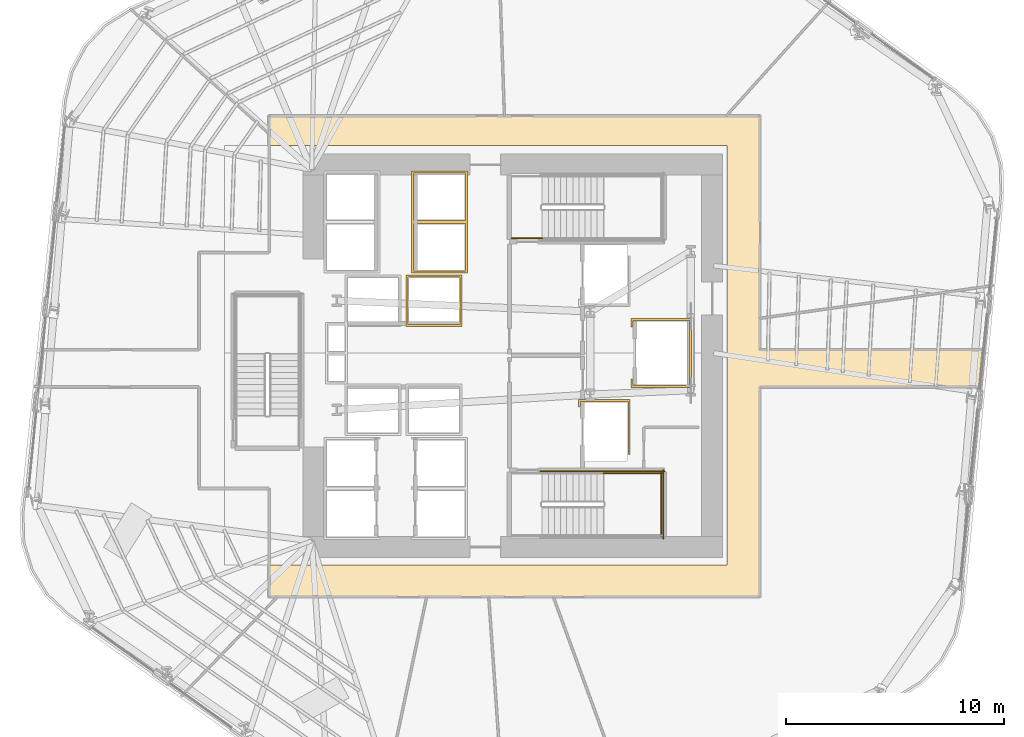
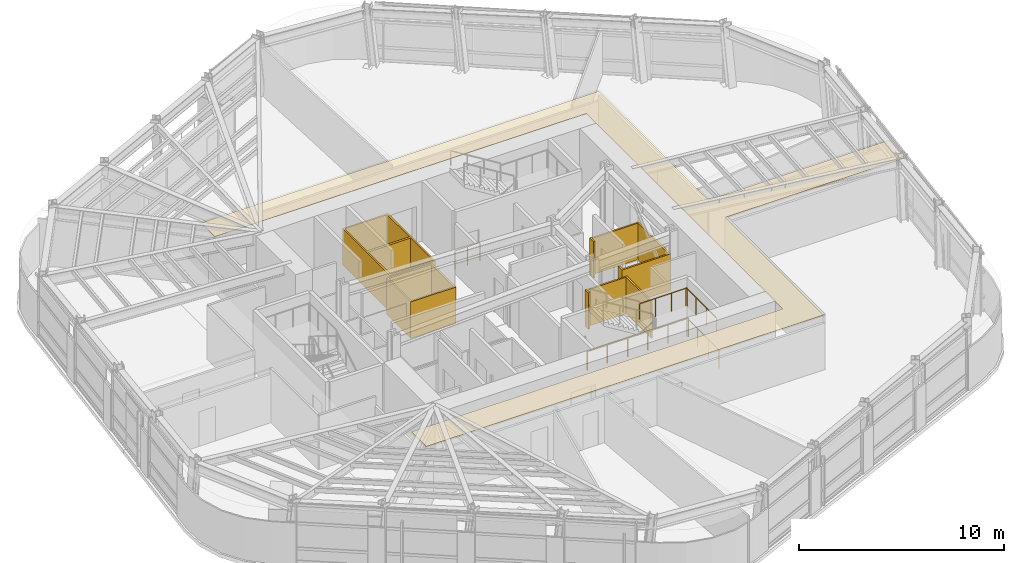
# One storey, part 13 of 16: 5 coverings, 5 railings.
"""IFC4 building model written with IfcOpenShell, lengths in metres."""

from ifc_helpers import new_model, si_unit, direction, frame, origin, origin_2d, place, context, subcontext, project, spatial, polyline, circle, outline, extrude, material, layer, layer_set, type_object, element, save


model = new_model("IFC4")

# Units and contexts
model_context = context("Model", 3, precision=1e-05, world=origin(), true_north=direction((0.0, 1.0)))
body_context = subcontext(model_context, "Body", "Model", "MODEL_VIEW")
ifc_project = project(units=[si_unit("LENGTHUNIT", "METRE"), si_unit("AREAUNIT", "SQUARE_METRE"), si_unit("VOLUMEUNIT", "CUBIC_METRE"), si_unit("PLANEANGLEUNIT", "RADIAN"), si_unit("MASSUNIT", "GRAM", prefix="KILO")], contexts=[model_context])

# Site, building, storey
site_placement = place(None, origin())
site = spatial("IfcSite", under=ifc_project, at=site_placement, CompositionType="ELEMENT")
building_placement = place(site_placement, origin())
building = spatial("IfcBuilding", under=site, at=building_placement, Name="Valkerne Bourse Tower", CompositionType="ELEMENT")
storey_placement = place(building_placement, frame((0.0, 0.0, 127.60009765625)))
storey = spatial("IfcBuildingStorey", under=building, at=storey_placement, Name="L32", CompositionType="ELEMENT", Elevation=127.60009765625)

# Coverings
ifc_material_1 = material(Name="Bronze Anodised Aluminium AA 6063-T6", Category="aluminium")
ifc_layer_1 = layer(ifc_material_1, 0.030029296875)
ifc_layer_set_1 = layer_set([ifc_layer_1], Name="Bronze Anodised Aluminium AA 6063-T6")
covering_type_1 = type_object("IfcCoveringType", Name="COV-CEIL-METAL", PredefinedType="CEILING", material=ifc_layer_set_1)
covering_1_placement = place(storey_placement, frame((0.0, 0.0, 3.22998046875)))
element("IfcCovering", 1, at=covering_1_placement, inside=storey, type_object=covering_type_1, Name="L32 Suspended Ceiling 01", PredefinedType="CEILING", context=body_context, shape_type="SweptSolid", body=[
    extrude(outline(polyline([(68.310546875, 27.14599609375), (68.14697265625, 25.4541015625), (58.095947265625, 25.4541015625), (58.095947265625, 15.85400390625), (35.654052734375, 15.85400390625), (35.654052734375, 17.300048828125), (56.60009765625, 17.300048828125), (56.60009765625, 36.5), (35.654052734375, 36.5), (35.654052734375, 37.845947265625), (58.095947265625, 37.845947265625), (58.095947265625, 27.14599609375), (68.310546875, 27.14599609375)])), origin(), (0.0, 0.0, 1.0), 0.02490234375),
])
ifc_material_2 = material(Name="Gypsum Shaftwall Liner Board", Category="gypsum")
ifc_layer_2 = layer(ifc_material_2, 0.080078125)
ifc_layer_set_2 = layer_set([ifc_layer_2], Name="Gypsum Shaftwall Liner Board")
covering_type_2 = type_object("IfcCoveringType", Name="COV-SHF-CLAD", PredefinedType="CLADDING", material=ifc_layer_set_2)
covering_2_placement = place(storey_placement, origin())
element("IfcCovering", 2, at=covering_2_placement, inside=storey, type_object=covering_type_2, Name="L32 Hoistway & Riser Shaftwall Liner 07", PredefinedType="CLADDING", context=body_context, shape_type="SweptSolid", body=[
    extrude(outline(polyline([(52.179931640625, 22.35009765625), (52.090087890625, 22.35009765625), (52.090087890625, 24.7900390625), (49.909912109375, 24.7900390625), (49.909912109375, 24.560791015625), (49.869384765625, 24.550537109375), (49.827880859375, 24.53564453125), (49.820068359375, 24.531982421875), (49.820068359375, 24.8798828125), (52.179931640625, 24.8798828125), (52.179931640625, 22.35009765625)])), origin(), (0.0, 0.0, 1.0), 2.179931640625),
])
covering_3_placement = place(storey_placement, origin())
element("IfcCovering", 3, at=covering_3_placement, inside=storey, type_object=covering_type_2, Name="L32 Hoistway & Riser Shaftwall Liner 08", PredefinedType="CLADDING", context=body_context, shape_type="SweptSolid", body=[
    extrude(outline(polyline([(54.97998046875, 25.419921875), (52.219970703125, 25.419921875), (52.219970703125, 25.81787109375), (52.227783203125, 25.814208984375), (52.269287109375, 25.79931640625), (52.31005859375, 25.789306640625), (52.31005859375, 25.510009765625), (54.889892578125, 25.510009765625), (54.889892578125, 28.489990234375), (52.31005859375, 28.489990234375), (52.31005859375, 28.210693359375), (52.269287109375, 28.20068359375), (52.227783203125, 28.185791015625), (52.219970703125, 28.18212890625), (52.219970703125, 28.580078125), (54.97998046875, 28.580078125), (54.97998046875, 25.419921875)])), origin(), (0.0, 0.0, 1.0), 2.179931640625),
])
covering_4_placement = place(storey_placement, origin())
element("IfcCovering", 4, at=covering_4_placement, inside=storey, type_object=covering_type_2, Name="L32 Hoistway & Riser Shaftwall Liner 09", PredefinedType="CLADDING", context=body_context, shape_type="SweptSolid", body=[
    extrude(outline(polyline([(44.47998046875, 28.219970703125), (41.919921875, 28.219970703125), (41.919921875, 30.580078125), (44.47998046875, 30.580078125), (44.47998046875, 28.219970703125)]), holes=[polyline([(42.010009765625, 30.489990234375), (42.010009765625, 28.31005859375), (44.389892578125, 28.31005859375), (44.389892578125, 30.489990234375), (42.010009765625, 30.489990234375)])]), origin(), (0.0, 0.0, 1.0), 2.179931640625),
])
covering_5_placement = place(storey_placement, origin())
element("IfcCovering", 5, at=covering_5_placement, inside=storey, type_object=covering_type_2, Name="L32 Hoistway & Riser Shaftwall Liner 11", PredefinedType="CLADDING", context=body_context, shape_type="SweptSolid", body=[
    extrude(outline(polyline([(44.72998046875, 35.330078125), (44.72998046875, 33.030029296875), (44.72998046875, 32.969970703125), (44.72998046875, 30.669921875), (42.169921875, 30.669921875), (42.169921875, 32.969970703125), (42.169921875, 33.030029296875), (42.169921875, 35.330078125), (44.72998046875, 35.330078125)]), holes=[polyline([(42.260009765625, 30.760009765625), (44.639892578125, 30.760009765625), (44.639892578125, 32.93994140625), (42.260009765625, 32.93994140625), (42.260009765625, 30.760009765625)]), polyline([(42.260009765625, 33.06005859375), (44.639892578125, 33.06005859375), (44.639892578125, 35.239990234375), (42.260009765625, 35.239990234375), (42.260009765625, 33.06005859375)])]), origin(), (0.0, 0.0, 1.0), 2.179931640625),
])

# Railings
ifc_material_3 = material(Name="Galvanised Painted Steel", Category="steel")
railing_type = type_object("IfcRailingType", Name="RLG-ST-GUARD-1120", PredefinedType="GUARDRAIL", material=ifc_material_3)
railing_1_placement = place(storey_placement, frame((50.949951171875, 21.5, 1.89990234375)))
element("IfcRailing", 6, at=railing_1_placement, inside=storey, type_object=railing_type, Name="L32 ST-1 stair guard 4", PredefinedType="GUARDRAIL", context=body_context, shape_type="SweptSolid", body=[
    extrude(circle(Radius=0.02392578125, at=origin_2d()), frame((0.0, 0.0, 1.09619140625), z_axis=(1.0, 0.0, 0.0), x_axis=(0.0, 1.0, 0.0)), (0.0, 0.0, 1.0), 2.699951171875),
    extrude(circle(Radius=0.02099609375, at=origin_2d()), origin(), (0.0, 0.0, 1.0), 1.072021484375),
    extrude(circle(Radius=0.02099609375, at=origin_2d()), frame((0.89990234375, 0.0, 0.0)), (0.0, 0.0, 1.0), 1.072021484375),
    extrude(circle(Radius=0.02099609375, at=origin_2d()), frame((1.800048828125, 0.0, 0.0)), (0.0, 0.0, 1.0), 1.072021484375),
    extrude(circle(Radius=0.02099609375, at=origin_2d()), frame((2.699951171875, 0.0, 0.0)), (0.0, 0.0, 1.0), 1.072021484375),
])
railing_2_placement = place(storey_placement, frame((53.60009765625, 18.60009765625, 1.89990234375)))
element("IfcRailing", 7, at=railing_2_placement, inside=storey, type_object=railing_type, Name="L32 ST-1 stair guard 5", PredefinedType="GUARDRAIL", context=body_context, shape_type="SweptSolid", body=[
    extrude(circle(Radius=0.02392578125, at=origin_2d()), frame((0.0, 0.0, 1.09619140625), z_axis=(0.0, 1.0, 0.0), x_axis=(-1.0, 0.0, 0.0)), (0.0, 0.0, 1.0), 2.949951171875),
    extrude(circle(Radius=0.02099609375, at=origin_2d()), origin(), (0.0, 0.0, 1.0), 1.072021484375),
    extrude(circle(Radius=0.02099609375, at=origin_2d()), frame((0.0, 0.9833984375, 0.0)), (0.0, 0.0, 1.0), 1.072021484375),
    extrude(circle(Radius=0.02099609375, at=origin_2d()), frame((0.0, 1.966552734375, 0.0)), (0.0, 0.0, 1.0), 1.072021484375),
    extrude(circle(Radius=0.02099609375, at=origin_2d()), frame((0.0, 2.949951171875, 0.0)), (0.0, 0.0, 1.0), 1.072021484375),
])
railing_3_placement = place(storey_placement, frame((48.050048828125, 21.60009765625, 0.0)))
element("IfcRailing", 8, at=railing_3_placement, inside=storey, type_object=railing_type, Name="L32 ST-1 stair guard 11", PredefinedType="GUARDRAIL", context=body_context, shape_type="SweptSolid", body=[
    extrude(circle(Radius=0.02392578125, at=origin_2d()), frame((0.0, 0.0, 1.09619140625), z_axis=(1.0, 0.0, 0.0), x_axis=(0.0, 1.0, 0.0)), (0.0, 0.0, 1.0), 5.699951171875),
    extrude(circle(Radius=0.02099609375, at=origin_2d()), origin(), (0.0, 0.0, 1.0), 1.072021484375),
    extrude(circle(Radius=0.02099609375, at=origin_2d()), frame((1.139892578125, 0.0, 0.0)), (0.0, 0.0, 1.0), 1.072021484375),
    extrude(circle(Radius=0.02099609375, at=origin_2d()), frame((2.280029296875, 0.0, 0.0)), (0.0, 0.0, 1.0), 1.072021484375),
    extrude(circle(Radius=0.02099609375, at=origin_2d()), frame((3.419921875, 0.0, 0.0)), (0.0, 0.0, 1.0), 1.072021484375),
    extrude(circle(Radius=0.02099609375, at=origin_2d()), frame((4.56005859375, 0.0, 0.0)), (0.0, 0.0, 1.0), 1.072021484375),
    extrude(circle(Radius=0.02099609375, at=origin_2d()), frame((5.699951171875, 0.0, 0.0)), (0.0, 0.0, 1.0), 1.072021484375),
])
railing_4_placement = place(storey_placement, frame((53.699951171875, 18.5, 0.0)))
element("IfcRailing", 9, at=railing_4_placement, inside=storey, type_object=railing_type, Name="L32 ST-1 stair guard 12", PredefinedType="GUARDRAIL", context=body_context, shape_type="SweptSolid", body=[
    extrude(circle(Radius=0.02392578125, at=origin_2d()), frame((0.0, 0.0, 1.09619140625), z_axis=(0.0, 1.0, 0.0), x_axis=(-1.0, 0.0, 0.0)), (0.0, 0.0, 1.0), 3.14990234375),
    extrude(circle(Radius=0.02099609375, at=origin_2d()), origin(), (0.0, 0.0, 1.0), 1.072021484375),
    extrude(circle(Radius=0.02099609375, at=origin_2d()), frame((0.0, 1.050048828125, 0.0)), (0.0, 0.0, 1.0), 1.072021484375),
    extrude(circle(Radius=0.02099609375, at=origin_2d()), frame((0.0, 2.099853515625, 0.0)), (0.0, 0.0, 1.0), 1.072021484375),
    extrude(circle(Radius=0.02099609375, at=origin_2d()), frame((0.0, 3.14990234375, 0.0)), (0.0, 0.0, 1.0), 1.072021484375),
])
railing_5_placement = place(storey_placement, frame((46.75, 32.25, 0.0)))
element("IfcRailing", 10, at=railing_5_placement, inside=storey, type_object=railing_type, Name="L32 ST-2 stair guard 8", PredefinedType="GUARDRAIL", context=body_context, shape_type="SweptSolid", body=[
    extrude(circle(Radius=0.02392578125, at=origin_2d()), frame((0.0, 0.0, 1.09619140625), z_axis=(1.0, 0.0, 0.0), x_axis=(0.0, 1.0, 0.0)), (0.0, 0.0, 1.0), 1.39990234375),
    extrude(circle(Radius=0.02099609375, at=origin_2d()), origin(), (0.0, 0.0, 1.0), 1.072021484375),
    extrude(circle(Radius=0.02099609375, at=origin_2d()), frame((0.699951171875, 0.0, 0.0)), (0.0, 0.0, 1.0), 1.072021484375),
    extrude(circle(Radius=0.02099609375, at=origin_2d()), frame((1.39990234375, 0.0, 0.0)), (0.0, 0.0, 1.0), 1.072021484375),
])

save(model, "model.ifc")
